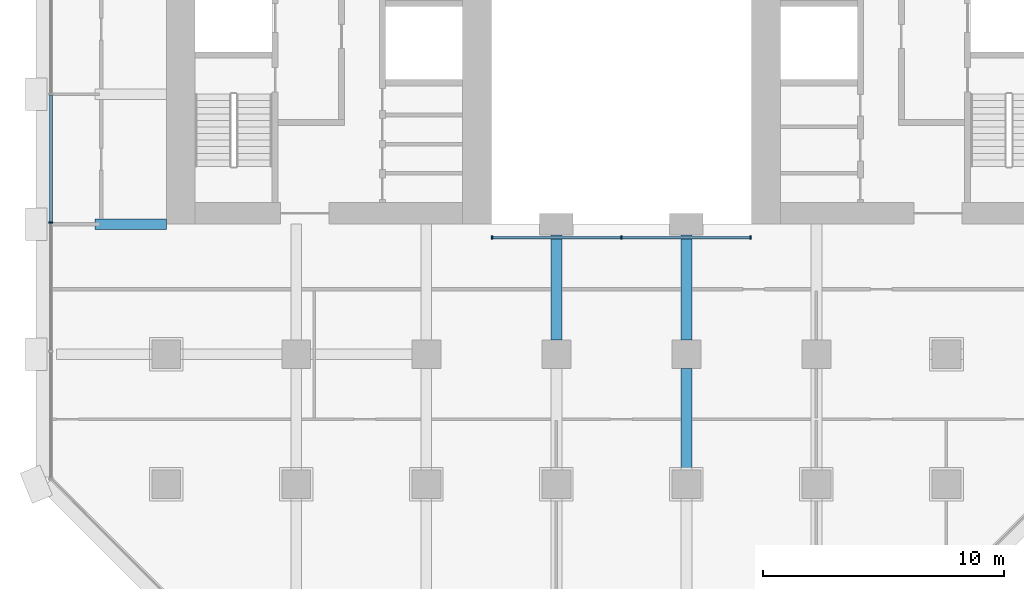
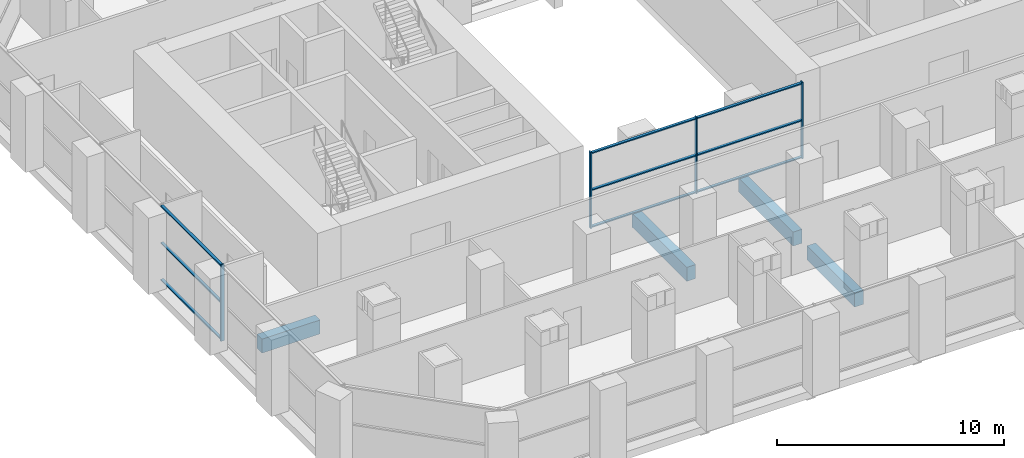
# One storey, part 4 of 23: 13 members, 4 beams, 2 elements without a shape of their own.
"""IFC4 building model written with IfcOpenShell, lengths in metres."""

from ifc_helpers import new_model, si_unit, direction, frame, origin, origin_2d, place, context, subcontext, project, spatial, rectangle, extrude, material, material_profile, profile_set, type_object, element, aggregate, save


model = new_model("IFC4")

# Units and contexts
model_context = context("Model", 3, precision=1e-05, world=origin(), true_north=direction((0.0, 1.0)))
body_context = subcontext(model_context, "Body", "Model", "MODEL_VIEW")
ifc_project = project(units=[si_unit("LENGTHUNIT", "METRE"), si_unit("AREAUNIT", "SQUARE_METRE"), si_unit("VOLUMEUNIT", "CUBIC_METRE"), si_unit("PLANEANGLEUNIT", "RADIAN"), si_unit("MASSUNIT", "GRAM", prefix="KILO")], contexts=[model_context])

# Site, building, storey
site_placement = place(None, origin())
site = spatial("IfcSite", under=ifc_project, at=site_placement, CompositionType="ELEMENT")
building_placement = place(site_placement, origin())
building = spatial("IfcBuilding", under=site, at=building_placement, Name="Tabaq Tower and Sports Hall", CompositionType="ELEMENT")
storey_placement = place(building_placement, frame((0.0, 0.0, 24.60009765625)))
storey = spatial("IfcBuildingStorey", under=building, at=storey_placement, Name="L04", CompositionType="ELEMENT", Elevation=24.60009765625)

# Curtain wall, members
ifc_material_1 = material(Name="Aluminium alloy 6063-T6 framed glazing", Category="aluminium")
curtain_wall_type_1 = type_object("IfcCurtainWallType", Name="CW1 curtain wall", PredefinedType="USERDEFINED", material=ifc_material_1)
curtain_wall_1_placement = place(storey_placement, origin())
curtain_wall_1 = element("IfcCurtainWall", 1, at=curtain_wall_1_placement, inside=storey, type_object=curtain_wall_type_1, Name="Atrium glazing L04 S", ObjectType="ATRIUM ENCLOSURE", PredefinedType="USERDEFINED")
ifc_material_2 = material(Name="Aluminium alloy 6063-T6", Category="aluminium")
ifc_material_profile_1 = material_profile(ifc_material_2, rectangle(XDim=0.159912109375, YDim=0.06005859375, at=origin_2d()), Name="MULLION 160x60")
ifc_profile_set_1 = profile_set([ifc_material_profile_1], Name="Aluminium alloy 6063-T6")
member_type_1 = type_object("IfcMemberType", Name="CW1 mullion 160x60", PredefinedType="MULLION", material=ifc_profile_set_1)
member_1_placement = place(storey_placement, frame((18.929931640625, 15.64990234375, 0.0), z_axis=(0.0, 0.0, 1.0), x_axis=(0.0, 1.0, 0.0)))
member_1 = element("IfcMember", 2, at=member_1_placement, type_object=member_type_1, Name="CW1 mullion 1", PredefinedType="MULLION", context=body_context, shape_type="SweptSolid", body=[
    extrude(rectangle(XDim=0.159912109375, YDim=0.06005859375, at=origin_2d()), origin(), (0.0, 0.0, 1.0), 4.099853515625),
])
member_2_placement = place(storey_placement, frame((24.300048828125, 15.64990234375, 0.0), z_axis=(0.0, 0.0, 1.0), x_axis=(0.0, 1.0, 0.0)))
member_2 = element("IfcMember", 3, at=member_2_placement, type_object=member_type_1, Name="CW1 mullion 2", PredefinedType="MULLION", context=body_context, shape_type="SweptSolid", body=[
    extrude(rectangle(XDim=0.159912109375, YDim=0.06005859375, at=origin_2d()), origin(), (0.0, 0.0, 1.0), 4.099853515625),
])
member_3_placement = place(storey_placement, frame((29.669921875, 15.64990234375, 0.0), z_axis=(0.0, 0.0, 1.0), x_axis=(0.0, 1.0, 0.0)))
member_3 = element("IfcMember", 4, at=member_3_placement, type_object=member_type_1, Name="CW1 mullion 3", PredefinedType="MULLION", context=body_context, shape_type="SweptSolid", body=[
    extrude(rectangle(XDim=0.159912109375, YDim=0.06005859375, at=origin_2d()), origin(), (0.0, 0.0, 1.0), 4.099853515625),
])
ifc_material_3 = material(Name="Aluminium alloy 6063-T6", Category="aluminium")
ifc_material_profile_2 = material_profile(ifc_material_3, rectangle(XDim=0.139892578125, YDim=0.06005859375, at=origin_2d()), Name="TRANSOM 140x60")
ifc_profile_set_2 = profile_set([ifc_material_profile_2], Name="Aluminium alloy 6063-T6")
member_type_2 = type_object("IfcMemberType", Name="CW1 transom 140x60", PredefinedType="USERDEFINED", material=ifc_profile_set_2)
member_4_placement = place(storey_placement, frame((18.9599609375, 15.64990234375, 0.06982421875), z_axis=(1.0, 0.0, 0.0), x_axis=(0.0, 1.0, 0.0)))
member_4 = element("IfcMember", 5, at=member_4_placement, type_object=member_type_2, Name="CW1 transom 1.1", ObjectType="TRANSOM", PredefinedType="USERDEFINED", context=body_context, shape_type="SweptSolid", body=[
    extrude(rectangle(XDim=0.139892578125, YDim=0.06005859375, at=origin_2d()), origin(), (0.0, 0.0, 1.0), 5.31005859375),
])
member_5_placement = place(storey_placement, frame((18.9599609375, 15.64990234375, 2.0498046875), z_axis=(1.0, 0.0, 0.0), x_axis=(0.0, 1.0, 0.0)))
member_5 = element("IfcMember", 6, at=member_5_placement, type_object=member_type_2, Name="CW1 transom 1.2", ObjectType="TRANSOM", PredefinedType="USERDEFINED", context=body_context, shape_type="SweptSolid", body=[
    extrude(rectangle(XDim=0.139892578125, YDim=0.06005859375, at=origin_2d()), origin(), (0.0, 0.0, 1.0), 5.31005859375),
])
member_6_placement = place(storey_placement, frame((18.9599609375, 15.64990234375, 4.02978515625), z_axis=(1.0, 0.0, 0.0), x_axis=(0.0, 1.0, 0.0)))
member_6 = element("IfcMember", 7, at=member_6_placement, type_object=member_type_2, Name="CW1 transom 1.3", ObjectType="TRANSOM", PredefinedType="USERDEFINED", context=body_context, shape_type="SweptSolid", body=[
    extrude(rectangle(XDim=0.139892578125, YDim=0.06005859375, at=origin_2d()), origin(), (0.0, 0.0, 1.0), 5.31005859375),
])
member_7_placement = place(storey_placement, frame((24.330078125, 15.64990234375, 0.06982421875), z_axis=(1.0, 0.0, 0.0), x_axis=(0.0, 1.0, 0.0)))
member_7 = element("IfcMember", 8, at=member_7_placement, type_object=member_type_2, Name="CW1 transom 2.1", ObjectType="TRANSOM", PredefinedType="USERDEFINED", context=body_context, shape_type="SweptSolid", body=[
    extrude(rectangle(XDim=0.139892578125, YDim=0.06005859375, at=origin_2d()), origin(), (0.0, 0.0, 1.0), 5.309814453125),
])
member_8_placement = place(storey_placement, frame((24.330078125, 15.64990234375, 2.0498046875), z_axis=(1.0, 0.0, 0.0), x_axis=(0.0, 1.0, 0.0)))
member_8 = element("IfcMember", 9, at=member_8_placement, type_object=member_type_2, Name="CW1 transom 2.2", ObjectType="TRANSOM", PredefinedType="USERDEFINED", context=body_context, shape_type="SweptSolid", body=[
    extrude(rectangle(XDim=0.139892578125, YDim=0.06005859375, at=origin_2d()), origin(), (0.0, 0.0, 1.0), 5.309814453125),
])
member_9_placement = place(storey_placement, frame((24.330078125, 15.64990234375, 4.02978515625), z_axis=(1.0, 0.0, 0.0), x_axis=(0.0, 1.0, 0.0)))
member_9 = element("IfcMember", 10, at=member_9_placement, type_object=member_type_2, Name="CW1 transom 2.3", ObjectType="TRANSOM", PredefinedType="USERDEFINED", context=body_context, shape_type="SweptSolid", body=[
    extrude(rectangle(XDim=0.139892578125, YDim=0.06005859375, at=origin_2d()), origin(), (0.0, 0.0, 1.0), 5.309814453125),
])
aggregate(curtain_wall_1, [member_1, member_2, member_3, member_4, member_5, member_6, member_7, member_8, member_9])

ifc_material_4 = material(Name="Aluminium alloy 6063-T6 framed glazing", Category="aluminium")
curtain_wall_type_2 = type_object("IfcCurtainWallType", Name="CW7 curtain wall", PredefinedType="USERDEFINED", material=ifc_material_4)
curtain_wall_2_placement = place(storey_placement, origin())
curtain_wall_2 = element("IfcCurtainWall", 11, at=curtain_wall_2_placement, inside=storey, type_object=curtain_wall_type_2, Name="Podium Wall L04 W", ObjectType="PODIUM WALL", PredefinedType="USERDEFINED")
ifc_material_5 = material(Name="Aluminium alloy 6063-T6", Category="aluminium")
ifc_material_profile_3 = material_profile(ifc_material_5, rectangle(XDim=0.179931640625, YDim=0.06494140625, at=origin_2d()), Name="MULLION 180x65")
ifc_profile_set_3 = profile_set([ifc_material_profile_3], Name="Aluminium alloy 6063-T6")
member_type_3 = type_object("IfcMemberType", Name="CW7 mullion 180x65", PredefinedType="MULLION", material=ifc_profile_set_3)
member_10_placement = place(storey_placement, frame((0.60009765625, 16.26220703125, 0.0), z_axis=(0.0, 0.0, 1.0), x_axis=(1.0, 0.0, 0.0)))
member_10 = element("IfcMember", 12, at=member_10_placement, type_object=member_type_3, Name="CW7 mullion 5", PredefinedType="MULLION", context=body_context, shape_type="SweptSolid", body=[
    extrude(rectangle(XDim=0.179931640625, YDim=0.06494140625, at=origin_2d()), origin(), (0.0, 0.0, 1.0), 4.099853515625),
])
ifc_material_6 = material(Name="Aluminium alloy 6063-T6", Category="aluminium")
ifc_material_profile_4 = material_profile(ifc_material_6, rectangle(XDim=0.139892578125, YDim=0.06494140625, at=origin_2d()), Name="TRANSOM 140x65")
ifc_profile_set_4 = profile_set([ifc_material_profile_4], Name="Aluminium alloy 6063-T6")
member_type_4 = type_object("IfcMemberType", Name="CW7 transom 140x65", PredefinedType="USERDEFINED", material=ifc_profile_set_4)
member_11_placement = place(storey_placement, frame((0.60009765625, 21.5673828125, 0.06982421875), z_axis=(0.0, -1.0, 0.0), x_axis=(1.0, 0.0, 0.0)))
member_11 = element("IfcMember", 13, at=member_11_placement, type_object=member_type_4, Name="CW7 transom 4.1", ObjectType="TRANSOM", PredefinedType="USERDEFINED", context=body_context, shape_type="SweptSolid", body=[
    extrude(rectangle(XDim=0.139892578125, YDim=0.06494140625, at=origin_2d()), origin(), (0.0, 0.0, 1.0), 5.272705078125),
])
member_12_placement = place(storey_placement, frame((0.60009765625, 21.5673828125, 2.0498046875), z_axis=(0.0, -1.0, 0.0), x_axis=(1.0, 0.0, 0.0)))
member_12 = element("IfcMember", 14, at=member_12_placement, type_object=member_type_4, Name="CW7 transom 4.2", ObjectType="TRANSOM", PredefinedType="USERDEFINED", context=body_context, shape_type="SweptSolid", body=[
    extrude(rectangle(XDim=0.139892578125, YDim=0.06494140625, at=origin_2d()), origin(), (0.0, 0.0, 1.0), 5.272705078125),
])
member_13_placement = place(storey_placement, frame((0.60009765625, 21.5673828125, 4.02978515625), z_axis=(0.0, -1.0, 0.0), x_axis=(1.0, 0.0, 0.0)))
member_13 = element("IfcMember", 15, at=member_13_placement, type_object=member_type_4, Name="CW7 transom 4.3", ObjectType="TRANSOM", PredefinedType="USERDEFINED", context=body_context, shape_type="SweptSolid", body=[
    extrude(rectangle(XDim=0.139892578125, YDim=0.06494140625, at=origin_2d()), origin(), (0.0, 0.0, 1.0), 5.272705078125),
])
aggregate(curtain_wall_2, [member_10, member_11, member_12, member_13])

# Beams
ifc_material_7 = material(Name="Concrete C40/50", Category="concrete")
ifc_material_profile_5 = material_profile(ifc_material_7, rectangle(XDim=0.449951171875, YDim=0.75, at=origin_2d()), Name="CB 450x750")
ifc_profile_set_5 = profile_set([ifc_material_profile_5], Name="Concrete C40/50")
beam_type = type_object("IfcBeamType", Name="PT CANTILEVER BEAM CB 450x750 C40/50", PredefinedType="BEAM", material=ifc_profile_set_5)
beam_1_placement = place(storey_placement, frame((2.449951171875, 16.199951171875, -0.775146484375), z_axis=(1.0, 0.0, 0.0), x_axis=(0.0, 1.0, 0.0)))
element("IfcBeam", 16, at=beam_1_placement, inside=storey, type_object=beam_type, Name="Cantilever Beam L04 W3 span 1", PredefinedType="BEAM", context=body_context, shape_type="SweptSolid", body=[
    extrude(rectangle(XDim=0.449951171875, YDim=0.75, at=origin_2d()), origin(), (0.0, 0.0, 1.0), 2.949951171875),
])
beam_2_placement = place(storey_placement, frame((21.60009765625, 11.39990234375, -0.775146484375), z_axis=(0.0, 1.0, 0.0), x_axis=(-1.0, 0.0, 0.0)))
element("IfcBeam", 17, at=beam_2_placement, inside=storey, type_object=beam_type, Name="Cantilever Beam L04 S4 span 3", PredefinedType="BEAM", context=body_context, shape_type="SweptSolid", body=[
    extrude(rectangle(XDim=0.449951171875, YDim=0.75, at=origin_2d()), origin(), (0.0, 0.0, 1.0), 4.800048828125),
])
beam_3_placement = place(storey_placement, frame((27.0, 6.0, -0.775146484375), z_axis=(0.0, 1.0, 0.0), x_axis=(-1.0, 0.0, 0.0)))
element("IfcBeam", 18, at=beam_3_placement, inside=storey, type_object=beam_type, Name="Cantilever Beam L04 S5 span 2", PredefinedType="BEAM", context=body_context, shape_type="SweptSolid", body=[
    extrude(rectangle(XDim=0.449951171875, YDim=0.75, at=origin_2d()), origin(), (0.0, 0.0, 1.0), 4.199951171875),
])
beam_4_placement = place(storey_placement, frame((27.0, 11.39990234375, -0.775146484375), z_axis=(0.0, 1.0, 0.0), x_axis=(-1.0, 0.0, 0.0)))
element("IfcBeam", 19, at=beam_4_placement, inside=storey, type_object=beam_type, Name="Cantilever Beam L04 S5 span 3", PredefinedType="BEAM", context=body_context, shape_type="SweptSolid", body=[
    extrude(rectangle(XDim=0.449951171875, YDim=0.75, at=origin_2d()), origin(), (0.0, 0.0, 1.0), 4.800048828125),
])

save(model, "model.ifc")
